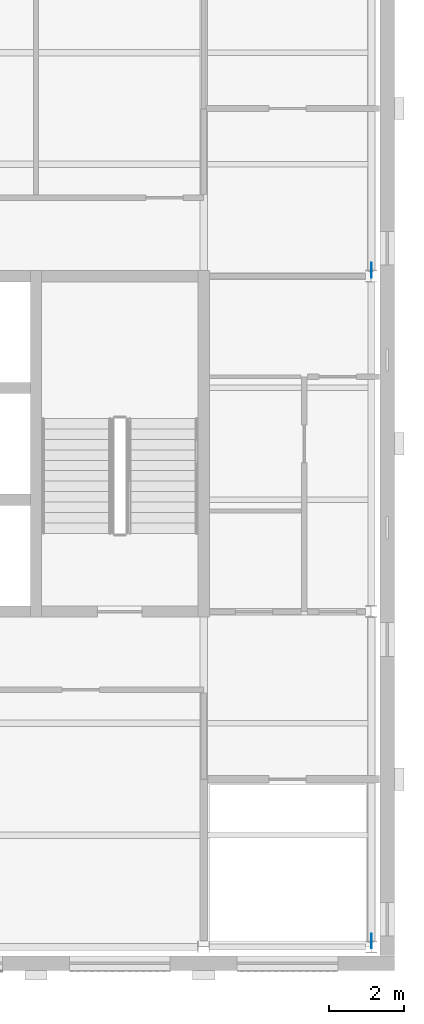
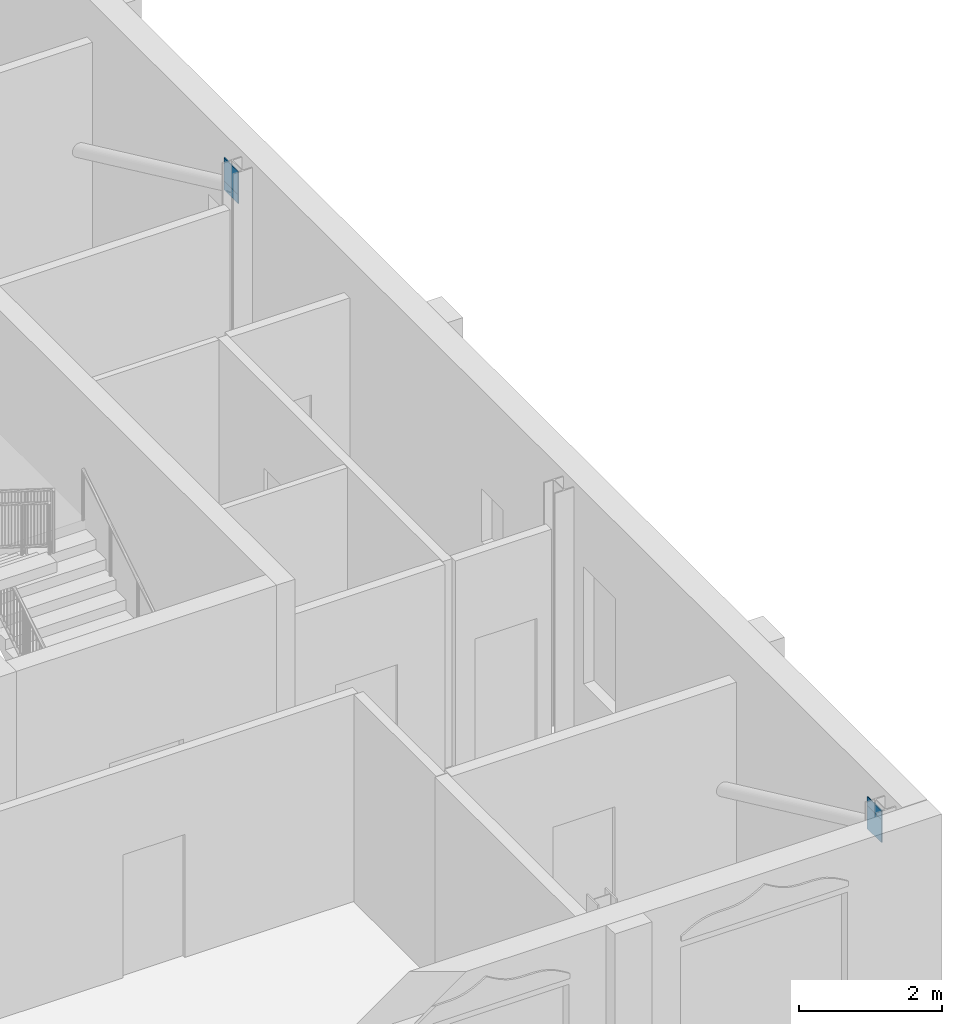
# One storey, part 7 of 9: 4 discrete accessories.
"""IFC4 building model written with IfcOpenShell, lengths in metres."""

from ifc_helpers import new_model, si_unit, direction, frame, origin, origin_2d, place, context, subcontext, project, spatial, rectangle, extrude, material, type_object, element, save


model = new_model("IFC4")

# Units and contexts
model_context = context("Model", 3, precision=1e-05, world=origin(), true_north=direction((0.0, 1.0)))
body_context = subcontext(model_context, "Body", "Model", "MODEL_VIEW")
ifc_project = project(units=[si_unit("LENGTHUNIT", "METRE"), si_unit("AREAUNIT", "SQUARE_METRE"), si_unit("VOLUMEUNIT", "CUBIC_METRE"), si_unit("PLANEANGLEUNIT", "RADIAN"), si_unit("MASSUNIT", "GRAM", prefix="KILO")], contexts=[model_context])

# Site, building, storey
site_placement = place(None, origin())
site = spatial("IfcSite", under=ifc_project, at=site_placement, CompositionType="ELEMENT")
building_placement = place(site_placement, origin())
building = spatial("IfcBuilding", under=site, at=building_placement, Name="Hortulan Conservatory and Botanical Research Centre", CompositionType="ELEMENT")
storey_placement = place(building_placement, frame((0.0, 0.0, 52.800048828125)))
storey = spatial("IfcBuildingStorey", under=building, at=storey_placement, Name="L12", CompositionType="ELEMENT", Elevation=52.800048828125)

# Discrete accessories
ifc_material = material(Name="Steel Grade 300 plate (AS/NZS 3678, 280 MPa minimum yield)", Category="steel")
discrete_accessory_type = type_object("IfcDiscreteAccessoryType", Name="End Plate 400x16", PredefinedType="BRACKET", material=ifc_material)
for number, where, z_axis, x_axis, name in (
    (1, (31.5, 0.160400390625, 3.566650390625), (0.0, 0.0, 1.0), (0.0, -1.0, 0.0), "Brace end plate"),
    (2, (31.5, 0.160400390625, 3.71630859375), (0.0, 0.0, 1.0), (0.0, -1.0, 0.0), "Brace end plate"),
    (3, (31.5, 18.160400390625, 3.566650390625), (0.0, 0.0, 1.0), (0.0, -1.0, 0.0), "Brace end plate"),
    (4, (31.5, 18.160400390625, 3.71630859375), (0.0, 0.0, 1.0), (0.0, -1.0, 0.0), "Brace end plate"),
):
    element("IfcDiscreteAccessory", number, at=place(storey_placement, frame(where, z_axis=z_axis, x_axis=x_axis)), inside=storey, type_object=discrete_accessory_type, Name=name, PredefinedType="BRACKET", context=body_context, shape_type="SweptSolid", body=[
        extrude(rectangle(XDim=0.39990234375, YDim=0.01611328125, at=origin_2d()), origin(), (0.0, 0.0, 1.0), 0.39990234375),
    ])

save(model, "model.ifc")
